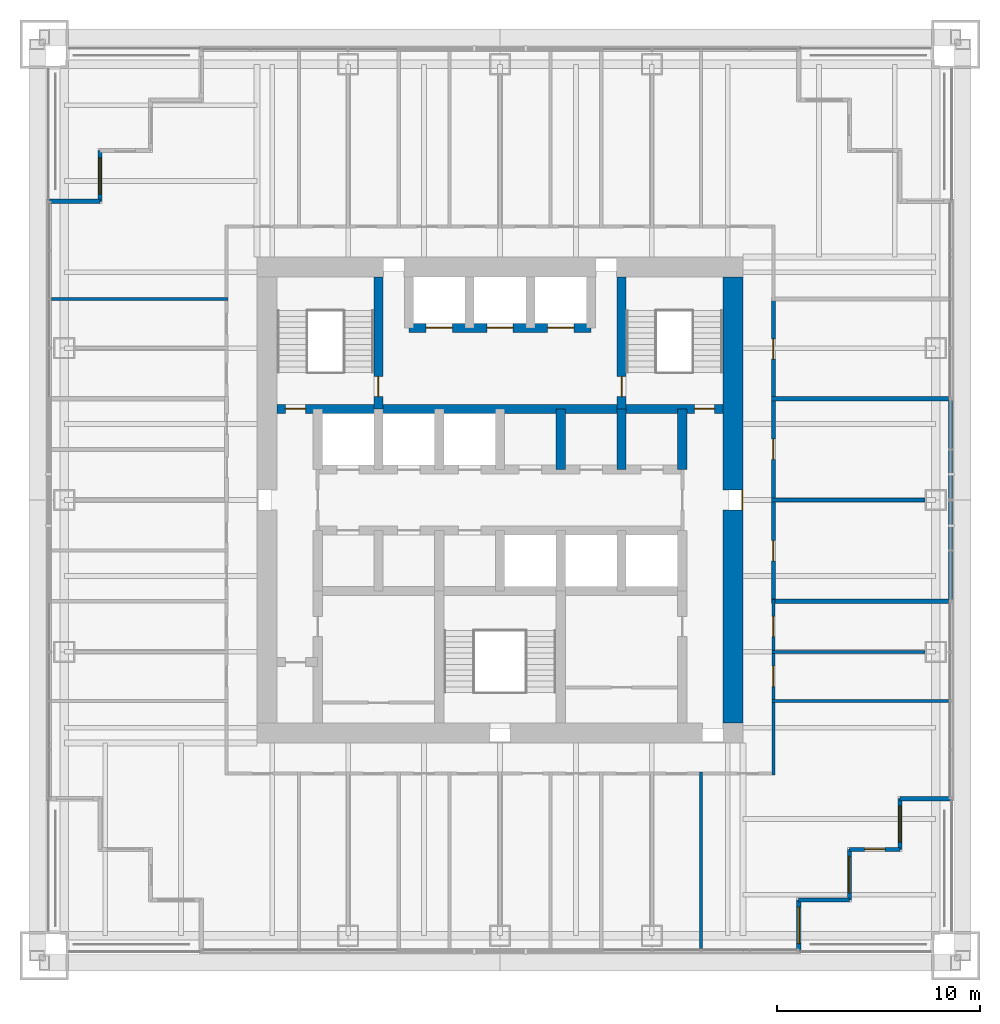
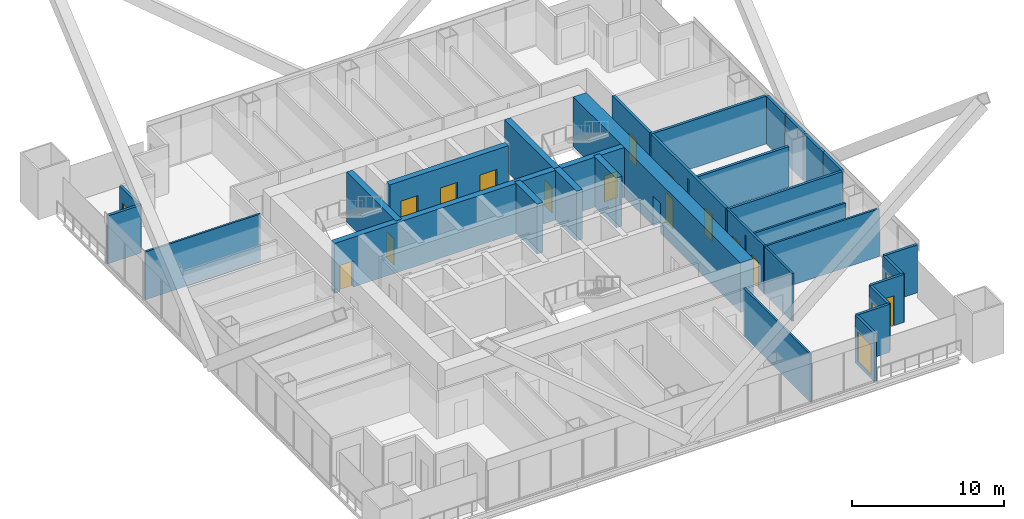
# One storey, part 13 of 17: 29 walls, 14 doors, 4 windows, 18 openings.
"""IFC4 building model written with IfcOpenShell, lengths in metres."""

from ifc_helpers import new_model, si_unit, direction, frame, frame_2d, origin, place, context, subcontext, project, spatial, rectangle, extrude, material, layer, layer_set, type_object, element, fill, save


model = new_model("IFC4")

# Units and contexts
model_context = context("Model", 3, precision=1e-05, world=origin(), true_north=direction((0.0, 1.0)))
body_context = subcontext(model_context, "Body", "Model", "MODEL_VIEW")
ifc_project = project(units=[si_unit("LENGTHUNIT", "METRE"), si_unit("AREAUNIT", "SQUARE_METRE"), si_unit("VOLUMEUNIT", "CUBIC_METRE"), si_unit("PLANEANGLEUNIT", "RADIAN"), si_unit("MASSUNIT", "GRAM", prefix="KILO")], contexts=[model_context])

# Site, building, storey
site_placement = place(None, origin())
site = spatial("IfcSite", under=ifc_project, at=site_placement, CompositionType="ELEMENT")
building_placement = place(site_placement, origin())
building = spatial("IfcBuilding", under=site, at=building_placement, Name="Tarangal Relay Tower", CompositionType="ELEMENT")
storey_placement = place(building_placement, frame((0.0, 0.0, 233.89990234375)))
storey = spatial("IfcBuildingStorey", under=building, at=storey_placement, Name="L50", CompositionType="ELEMENT", Elevation=233.89990234375)

# Walls
ifc_material_1 = material(Name="Two layers gypsum board each side on twin steel studs, mineral wool", Category="steel")
ifc_layer_1 = layer(ifc_material_1, 0.199951171875)
ifc_layer_set_1 = layer_set([ifc_layer_1], Name="Acoustic partition 200")
wall_type_1 = type_object("IfcWallType", Name="Acoustic partition 200", PredefinedType="PARTITIONING", material=ifc_layer_set_1)
wall_1_placement = place(storey_placement, frame((13.39990234375, -5.0, 0.0), z_axis=(0.0, 0.0, 1.0), x_axis=(1.0, 0.0, 0.0)))
element("IfcWall", 1, at=wall_1_placement, inside=storey, type_object=wall_type_1, Name="Partition PT2 L50", PredefinedType="PARTITIONING", context=body_context, shape_type="SweptSolid", body=[
    extrude(rectangle(XDim=8.75, YDim=0.199951171875, at=frame_2d((4.375, 0.0))), origin(), (0.0, 0.0, 1.0), 3.85009765625),
])
wall_2_placement = place(storey_placement, frame((13.39990234375, 0.0, 0.0), z_axis=(0.0, 0.0, 1.0), x_axis=(1.0, 0.0, 0.0)))
element("IfcWall", 2, at=wall_2_placement, inside=storey, type_object=wall_type_1, Name="Partition PT2 L50", PredefinedType="PARTITIONING", context=body_context, shape_type="SweptSolid", body=[
    extrude(rectangle(XDim=7.590087890625, YDim=0.199951171875, at=frame_2d((3.794921875, 0.0))), origin(), (0.0, 0.0, 1.0), 3.238037109375),
])
wall_3_placement = place(storey_placement, frame((13.39990234375, 5.0, 0.0), z_axis=(0.0, 0.0, 1.0), x_axis=(1.0, 0.0, 0.0)))
element("IfcWall", 3, at=wall_3_placement, inside=storey, type_object=wall_type_1, Name="Partition PT2 L50", PredefinedType="PARTITIONING", context=body_context, shape_type="SweptSolid", body=[
    extrude(rectangle(XDim=8.75, YDim=0.199951171875, at=frame_2d((4.375, 0.0))), origin(), (0.0, 0.0, 1.0), 3.85009765625),
])

# Wall, openings, doors
wall_4_placement = place(storey_placement, frame((13.5, -5.10009765625, 0.0), z_axis=(0.0, 0.0, 1.0), x_axis=(0.0, 1.0, 0.0)))
wall_4 = element("IfcWall", 4, at=wall_4_placement, inside=storey, type_object=wall_type_1, Name="Partition PT2 L50", PredefinedType="PARTITIONING", context=body_context, shape_type="SweptSolid", body=[
    extrude(rectangle(XDim=15.1171875, YDim=0.199951171875, at=frame_2d((7.55859375, 0.0))), origin(), (0.0, 0.0, 1.0), 3.85009765625),
])
opening_1_placement = place(wall_4_placement, frame((12.05859375, 0.0, 0.0)))
opening_1 = element("IfcOpeningElement", 5, at=opening_1_placement, cuts=wall_4, Name="Opening D2", PredefinedType="OPENING", context=body_context, shape_type="SweptSolid", body=[
    extrude(rectangle(XDim=1.0, YDim=2.10009765625, at=frame_2d((0.5, 1.050048828125))), frame((0.0, 0.10986328125, 0.0), z_axis=(0.0, -1.0, 0.0), x_axis=(1.0, 0.0, 0.0)), (0.0, 0.0, 1.0), 0.219970703125),
])
opening_2_placement = place(wall_4_placement, frame((7.10009765625, 0.0, 0.0)))
opening_2 = element("IfcOpeningElement", 6, at=opening_2_placement, cuts=wall_4, Name="Opening D2", PredefinedType="OPENING", context=body_context, shape_type="SweptSolid", body=[
    extrude(rectangle(XDim=1.0, YDim=2.10009765625, at=frame_2d((0.5, 1.050048828125))), frame((0.0, 0.10986328125, 0.0), z_axis=(0.0, -1.0, 0.0), x_axis=(1.0, 0.0, 0.0)), (0.0, 0.0, 1.0), 0.219970703125),
])
opening_3_placement = place(wall_4_placement, frame((2.10009765625, 0.0, 0.0)))
opening_3 = element("IfcOpeningElement", 7, at=opening_3_placement, cuts=wall_4, Name="Opening D2", PredefinedType="OPENING", context=body_context, shape_type="SweptSolid", body=[
    extrude(rectangle(XDim=1.0, YDim=2.10009765625, at=frame_2d((0.5, 1.050048828125))), frame((0.0, 0.10986328125, 0.0), z_axis=(0.0, -1.0, 0.0), x_axis=(1.0, 0.0, 0.0)), (0.0, 0.0, 1.0), 0.219970703125),
])
ifc_material_2 = material(Name="Hardwood door", Category="wood")
door_type_1 = type_object("IfcDoorType", Name="Door 1000 x 2100", OperationType="SINGLE_SWING_LEFT", PredefinedType="DOOR", material=ifc_material_2)
door_1_placement = place(opening_1_placement, origin())
door_1 = element("IfcDoor", 8, at=door_1_placement, inside=storey, type_object=door_type_1, Name="Door D2 to meeting room L50-10", OperationType="SINGLE_SWING_LEFT", OverallHeight=2.10009765625, OverallWidth=1.0, PredefinedType="DOOR", context=body_context, shape_type="SweptSolid", body=[
    extrude(rectangle(XDim=1.0, YDim=2.10009765625, at=frame_2d((0.5, 1.050048828125))), frame((0.0, 0.02490234375, 0.0), z_axis=(0.0, -1.0, 0.0), x_axis=(1.0, 0.0, 0.0)), (0.0, 0.0, 1.0), 0.050048828125),
])
fill(opening_1, door_1)
door_2_placement = place(opening_2_placement, origin())
door_2 = element("IfcDoor", 9, at=door_2_placement, inside=storey, type_object=door_type_1, Name="Door D2 to boardroom L50-11", OperationType="SINGLE_SWING_LEFT", OverallHeight=2.10009765625, OverallWidth=1.0, PredefinedType="DOOR", context=body_context, shape_type="SweptSolid", body=[
    extrude(rectangle(XDim=1.0, YDim=2.10009765625, at=frame_2d((0.5, 1.050048828125))), frame((0.0, 0.02490234375, 0.0), z_axis=(0.0, -1.0, 0.0), x_axis=(1.0, 0.0, 0.0)), (0.0, 0.0, 1.0), 0.050048828125),
])
fill(opening_2, door_2)
door_3_placement = place(opening_3_placement, origin())
door_3 = element("IfcDoor", 10, at=door_3_placement, inside=storey, type_object=door_type_1, Name="Door D2 to meeting room L50-12", OperationType="SINGLE_SWING_LEFT", OverallHeight=2.10009765625, OverallWidth=1.0, PredefinedType="DOOR", context=body_context, shape_type="SweptSolid", body=[
    extrude(rectangle(XDim=1.0, YDim=2.10009765625, at=frame_2d((0.5, 1.050048828125))), frame((0.0, 0.02490234375, 0.0), z_axis=(0.0, -1.0, 0.0), x_axis=(1.0, 0.0, 0.0)), (0.0, 0.0, 1.0), 0.050048828125),
])
fill(opening_3, door_3)

ifc_material_3 = material(Name="Concrete fc' 60 MPa", Category="concrete")
ifc_layer_2 = layer(ifc_material_3, 0.449951171875)
ifc_layer_set_2 = layer_set([ifc_layer_2], Name="Core inner wall 450")
wall_type_2 = type_object("IfcWallType", Name="Core inner wall 450", PredefinedType="SHEAR", material=ifc_layer_set_2)
wall_5_placement = place(storey_placement, frame((-11.0, 4.5, 0.0), z_axis=(0.0, 0.0, 1.0), x_axis=(1.0, 0.0, 0.0)))
wall_5 = element("IfcWall", 11, at=wall_5_placement, inside=storey, type_object=wall_type_2, Name="Core wall Y45 L50", PredefinedType="SHEAR", context=body_context, shape_type="SweptSolid", body=[
    extrude(rectangle(XDim=22.0, YDim=0.449951171875, at=frame_2d((11.0, 0.0))), origin(), (0.0, 0.0, 1.0), 4.0),
])
opening_4_placement = place(wall_5_placement, frame((0.39990234375, 0.0, 0.0)))
opening_4 = element("IfcOpeningElement", 12, at=opening_4_placement, cuts=wall_5, Name="Opening FD1", PredefinedType="OPENING", context=body_context, shape_type="SweptSolid", body=[
    extrude(rectangle(XDim=1.0, YDim=2.10009765625, at=frame_2d((0.5, 1.050048828125))), frame((0.0, 0.23486328125, 0.0), z_axis=(0.0, -1.0, 0.0), x_axis=(1.0, 0.0, 0.0)), (0.0, 0.0, 1.0), 0.469970703125),
])
opening_5_placement = place(wall_5_placement, frame((20.60009765625, 0.0, 0.0)))
opening_5 = element("IfcOpeningElement", 13, at=opening_5_placement, cuts=wall_5, Name="Opening FD1", PredefinedType="OPENING", context=body_context, shape_type="SweptSolid", body=[
    extrude(rectangle(XDim=1.0, YDim=2.10009765625, at=frame_2d((0.5, 1.050048828125))), frame((0.0, 0.23486328125, 0.0), z_axis=(0.0, -1.0, 0.0), x_axis=(1.0, 0.0, 0.0)), (0.0, 0.0, 1.0), 0.469970703125),
])
ifc_material_4 = material(Name="Steel door with hardwood frame", Category="steel")
door_type_2 = type_object("IfcDoorType", Name="Fire door 1000 x 2100", OperationType="SINGLE_SWING_LEFT", PredefinedType="DOOR", material=ifc_material_4)
door_4_placement = place(opening_4_placement, origin())
door_4 = element("IfcDoor", 14, at=door_4_placement, inside=storey, type_object=door_type_2, Name="Stair ST-A door from corridor L50", OperationType="SINGLE_SWING_LEFT", OverallHeight=2.10009765625, OverallWidth=1.0, PredefinedType="DOOR", context=body_context, shape_type="SweptSolid", body=[
    extrude(rectangle(XDim=1.0, YDim=2.10009765625, at=frame_2d((0.5, 1.050048828125))), frame((0.0, 0.02490234375, 0.0), z_axis=(0.0, -1.0, 0.0), x_axis=(1.0, 0.0, 0.0)), (0.0, 0.0, 1.0), 0.050048828125),
])
fill(opening_4, door_4)
door_5_placement = place(opening_5_placement, origin())
door_5 = element("IfcDoor", 15, at=door_5_placement, inside=storey, type_object=door_type_2, Name="Stair ST-B door from corridor L50", OperationType="SINGLE_SWING_LEFT", OverallHeight=2.10009765625, OverallWidth=1.0, PredefinedType="DOOR", context=body_context, shape_type="SweptSolid", body=[
    extrude(rectangle(XDim=1.0, YDim=2.10009765625, at=frame_2d((0.5, 1.050048828125))), frame((0.0, 0.02490234375, 0.0), z_axis=(0.0, -1.0, 0.0), x_axis=(1.0, 0.0, 0.0)), (0.0, 0.0, 1.0), 0.050048828125),
])
fill(opening_5, door_5)

wall_6_placement = place(storey_placement, frame((-4.5, 8.5, 0.0), z_axis=(0.0, 0.0, 1.0), x_axis=(1.0, 0.0, 0.0)))
wall_6 = element("IfcWall", 16, at=wall_6_placement, inside=storey, type_object=wall_type_2, Name="Core wall Y85 L50", PredefinedType="SHEAR", context=body_context, shape_type="SweptSolid", body=[
    extrude(rectangle(XDim=9.0, YDim=0.449951171875, at=frame_2d((4.5, 0.0))), origin(), (0.0, 0.0, 1.0), 4.0),
])
opening_6_placement = place(wall_6_placement, frame((0.85009765625, 0.0, 0.0)))
opening_6 = element("IfcOpeningElement", 17, at=opening_6_placement, cuts=wall_6, Name="Opening LD2", PredefinedType="OPENING", context=body_context, shape_type="SweptSolid", body=[
    extrude(rectangle(XDim=1.300048828125, YDim=2.39990234375, at=frame_2d((0.64990234375, 1.199951171875))), frame((0.0, 0.23486328125, 0.0), z_axis=(0.0, -1.0, 0.0), x_axis=(1.0, 0.0, 0.0)), (0.0, 0.0, 1.0), 0.469970703125),
])
opening_7_placement = place(wall_6_placement, frame((6.85009765625, 0.0, 0.0)))
opening_7 = element("IfcOpeningElement", 18, at=opening_7_placement, cuts=wall_6, Name="Opening LD2", PredefinedType="OPENING", context=body_context, shape_type="SweptSolid", body=[
    extrude(rectangle(XDim=1.300048828125, YDim=2.39990234375, at=frame_2d((0.64990234375, 1.199951171875))), frame((0.0, 0.23486328125, 0.0), z_axis=(0.0, -1.0, 0.0), x_axis=(1.0, 0.0, 0.0)), (0.0, 0.0, 1.0), 0.469970703125),
])
opening_8_placement = place(wall_6_placement, frame((3.85009765625, 0.0, 0.0)))
opening_8 = element("IfcOpeningElement", 19, at=opening_8_placement, cuts=wall_6, Name="Opening LD2", PredefinedType="OPENING", context=body_context, shape_type="SweptSolid", body=[
    extrude(rectangle(XDim=1.300048828125, YDim=2.39990234375, at=frame_2d((0.64990234375, 1.199951171875))), frame((0.0, 0.23486328125, 0.0), z_axis=(0.0, -1.0, 0.0), x_axis=(1.0, 0.0, 0.0)), (0.0, 0.0, 1.0), 0.469970703125),
])
door_type_3 = type_object("IfcDoorType", Name="Lift landing door 1300 x 2400", OperationType="SLIDING_TO_LEFT", PredefinedType="DOOR", material=ifc_material_4)
door_6_placement = place(opening_6_placement, origin())
door_6 = element("IfcDoor", 20, at=door_6_placement, inside=storey, type_object=door_type_3, Name="Lift FF1 landing door L50", OperationType="SLIDING_TO_LEFT", OverallHeight=2.39990234375, OverallWidth=1.300048828125, PredefinedType="DOOR", context=body_context, shape_type="SweptSolid", body=[
    extrude(rectangle(XDim=1.300048828125, YDim=2.39990234375, at=frame_2d((0.64990234375, 1.199951171875))), frame((0.0, 0.02490234375, 0.0), z_axis=(0.0, -1.0, 0.0), x_axis=(1.0, 0.0, 0.0)), (0.0, 0.0, 1.0), 0.050048828125),
])
fill(opening_6, door_6)
door_7_placement = place(opening_7_placement, origin())
door_7 = element("IfcDoor", 21, at=door_7_placement, inside=storey, type_object=door_type_3, Name="Lift FF2 landing door L50", OperationType="SLIDING_TO_LEFT", OverallHeight=2.39990234375, OverallWidth=1.300048828125, PredefinedType="DOOR", context=body_context, shape_type="SweptSolid", body=[
    extrude(rectangle(XDim=1.300048828125, YDim=2.39990234375, at=frame_2d((0.64990234375, 1.199951171875))), frame((0.0, 0.02490234375, 0.0), z_axis=(0.0, -1.0, 0.0), x_axis=(1.0, 0.0, 0.0)), (0.0, 0.0, 1.0), 0.050048828125),
])
fill(opening_7, door_7)
door_8_placement = place(opening_8_placement, origin())
door_8 = element("IfcDoor", 22, at=door_8_placement, inside=storey, type_object=door_type_3, Name="Lift SV1 landing door L50", OperationType="SLIDING_TO_LEFT", OverallHeight=2.39990234375, OverallWidth=1.300048828125, PredefinedType="DOOR", context=body_context, shape_type="SweptSolid", body=[
    extrude(rectangle(XDim=1.300048828125, YDim=2.39990234375, at=frame_2d((0.64990234375, 1.199951171875))), frame((0.0, 0.02490234375, 0.0), z_axis=(0.0, -1.0, 0.0), x_axis=(1.0, 0.0, 0.0)), (0.0, 0.0, 1.0), 0.050048828125),
])
fill(opening_8, door_8)

# Walls
for number, where, z_axis, x_axis, name in (
    (23, (9.0, 1.5, 0.0), (0.0, 0.0, 1.0), (0.0, 1.0, 0.0), "Core wall X9N L50"),
    (24, (3.0, 1.5, 0.0), (0.0, 0.0, 1.0), (0.0, 1.0, 0.0), "Core wall X3N L50"),
    (25, (6.0, 1.5, 0.0), (0.0, 0.0, 1.0), (0.0, 1.0, 0.0), "Core wall X6N L50"),
):
    element("IfcWall", number, at=place(storey_placement, frame(where, z_axis=z_axis, x_axis=x_axis)), inside=storey, type_object=wall_type_2, Name=name, PredefinedType="SHEAR", context=body_context, shape_type="SweptSolid", body=[
        extrude(rectangle(XDim=3.0, YDim=0.449951171875, at=frame_2d((1.5, 0.0))), origin(), (0.0, 0.0, 1.0), 4.0),
    ])

# Wall, opening, door
wall_7_placement = place(storey_placement, frame((-6.0, 4.5, 0.0), z_axis=(0.0, 0.0, 1.0), x_axis=(0.0, 1.0, 0.0)))
wall_7 = element("IfcWall", 26, at=wall_7_placement, inside=storey, type_object=wall_type_2, Name="Core wall XM6 L50", PredefinedType="SHEAR", context=body_context, shape_type="SweptSolid", body=[
    extrude(rectangle(XDim=6.5, YDim=0.449951171875, at=frame_2d((3.25, 0.0))), origin(), (0.0, 0.0, 1.0), 4.0),
])
opening_9_placement = place(wall_7_placement, frame((0.60009765625, 0.0, 0.0)))
opening_9 = element("IfcOpeningElement", 27, at=opening_9_placement, cuts=wall_7, Name="Opening FD1", PredefinedType="OPENING", context=body_context, shape_type="SweptSolid", body=[
    extrude(rectangle(XDim=1.0, YDim=2.10009765625, at=frame_2d((0.5, 1.050048828125))), frame((0.0, 0.23486328125, 0.0), z_axis=(0.0, -1.0, 0.0), x_axis=(1.0, 0.0, 0.0)), (0.0, 0.0, 1.0), 0.469970703125),
])
door_9_placement = place(opening_9_placement, origin())
door_9 = element("IfcDoor", 28, at=door_9_placement, inside=storey, type_object=door_type_2, Name="Stair ST-A door from fire-fighting lobby L50", OperationType="SINGLE_SWING_LEFT", OverallHeight=2.10009765625, OverallWidth=1.0, PredefinedType="DOOR", context=body_context, shape_type="SweptSolid", body=[
    extrude(rectangle(XDim=1.0, YDim=2.10009765625, at=frame_2d((0.5, 1.050048828125))), frame((0.0, 0.02490234375, 0.0), z_axis=(0.0, -1.0, 0.0), x_axis=(1.0, 0.0, 0.0)), (0.0, 0.0, 1.0), 0.050048828125),
])
fill(opening_9, door_9)

wall_8_placement = place(storey_placement, frame((6.0, 4.5, 0.0), z_axis=(0.0, 0.0, 1.0), x_axis=(0.0, 1.0, 0.0)))
wall_8 = element("IfcWall", 29, at=wall_8_placement, inside=storey, type_object=wall_type_2, Name="Core wall X6 L50", PredefinedType="SHEAR", context=body_context, shape_type="SweptSolid", body=[
    extrude(rectangle(XDim=6.5, YDim=0.449951171875, at=frame_2d((3.25, 0.0))), origin(), (0.0, 0.0, 1.0), 4.0),
])
opening_10_placement = place(wall_8_placement, frame((0.60009765625, 0.0, 0.0)))
opening_10 = element("IfcOpeningElement", 30, at=opening_10_placement, cuts=wall_8, Name="Opening FD1", PredefinedType="OPENING", context=body_context, shape_type="SweptSolid", body=[
    extrude(rectangle(XDim=1.0, YDim=2.10009765625, at=frame_2d((0.5, 1.050048828125))), frame((0.0, 0.23486328125, 0.0), z_axis=(0.0, -1.0, 0.0), x_axis=(1.0, 0.0, 0.0)), (0.0, 0.0, 1.0), 0.469970703125),
])
door_10_placement = place(opening_10_placement, origin())
door_10 = element("IfcDoor", 31, at=door_10_placement, inside=storey, type_object=door_type_2, Name="Stair ST-B door from fire-fighting lobby L50", OperationType="SINGLE_SWING_LEFT", OverallHeight=2.10009765625, OverallWidth=1.0, PredefinedType="DOOR", context=body_context, shape_type="SweptSolid", body=[
    extrude(rectangle(XDim=1.0, YDim=2.10009765625, at=frame_2d((0.5, 1.050048828125))), frame((0.0, 0.02490234375, 0.0), z_axis=(0.0, -1.0, 0.0), x_axis=(1.0, 0.0, 0.0)), (0.0, 0.0, 1.0), 0.050048828125),
])
fill(opening_10, door_10)

ifc_layer_3 = layer(ifc_material_3, 1.0)
ifc_layer_set_3 = layer_set([ifc_layer_3], Name="Core wall 1000")
wall_type_3 = type_object("IfcWallType", Name="Core wall 1000", PredefinedType="SHEAR", material=ifc_layer_set_3)
wall_9_placement = place(storey_placement, frame((11.5, 11.0, 0.0), z_axis=(0.0, 0.0, 1.0), x_axis=(0.0, -1.0, 0.0)))
wall_9 = element("IfcWall", 32, at=wall_9_placement, inside=storey, type_object=wall_type_3, Name="Core wall E L50", PredefinedType="SHEAR", context=body_context, shape_type="SweptSolid", body=[
    extrude(rectangle(XDim=22.0, YDim=1.0, at=frame_2d((11.0, 0.0))), origin(), (0.0, 0.0, 1.0), 4.0),
])
opening_11_placement = place(wall_9_placement, frame((10.5, 0.0, 0.0)))
opening_11 = element("IfcOpeningElement", 33, at=opening_11_placement, cuts=wall_9, Name="Opening FD3", PredefinedType="OPENING", context=body_context, shape_type="SweptSolid", body=[
    extrude(rectangle(XDim=1.0, YDim=2.39990234375, at=frame_2d((0.5, 1.199951171875))), frame((0.0, 0.510009765625, 0.0), z_axis=(0.0, -1.0, 0.0), x_axis=(1.0, 0.0, 0.0)), (0.0, 0.0, 1.0), 1.02001953125),
])
door_type_4 = type_object("IfcDoorType", Name="Fire door 1000 x 2400 core entry", OperationType="SINGLE_SWING_RIGHT", PredefinedType="DOOR", material=ifc_material_4)
door_11_placement = place(opening_11_placement, origin())
door_11 = element("IfcDoor", 34, at=door_11_placement, inside=storey, type_object=door_type_4, Name="Core entry door east L50", OperationType="SINGLE_SWING_RIGHT", OverallHeight=2.39990234375, OverallWidth=1.0, PredefinedType="DOOR", context=body_context, shape_type="SweptSolid", body=[
    extrude(rectangle(XDim=1.0, YDim=2.39990234375, at=frame_2d((0.5, 1.199951171875))), frame((0.0, 0.48486328125, 0.0), z_axis=(0.0, -1.0, 0.0), x_axis=(1.0, 0.0, 0.0)), (0.0, 0.0, 1.0), 0.050048828125),
])
fill(opening_11, door_11)

# Wall
ifc_material_5 = material(Name="Black metal clad insulated wall", Category="steel")
ifc_layer_4 = layer(ifc_material_5, 0.199951171875)
ifc_layer_set_4 = layer_set([ifc_layer_4], Name="Corner wall metal clad 200")
wall_type_4 = type_object("IfcWallType", Name="Corner wall metal clad 200", PredefinedType="SOLIDWALL", material=ifc_layer_set_4)
wall_10_placement = place(storey_placement, frame((22.25, -14.75, 0.0), z_axis=(0.0, 0.0, 1.0), x_axis=(-1.0, 0.0, 0.0)))
element("IfcWall", 35, at=wall_10_placement, inside=storey, type_object=wall_type_4, Name="Facade wall E facade L50", PredefinedType="SOLIDWALL", context=body_context, shape_type="SweptSolid", body=[
    extrude(rectangle(XDim=2.5, YDim=0.199951171875, at=frame_2d((1.25, 0.0))), origin(), (0.0, 0.0, 1.0), 3.85009765625),
])

# Wall, opening, window
wall_11_placement = place(storey_placement, frame((19.75, -14.75, 0.0), z_axis=(0.0, 0.0, 1.0), x_axis=(0.0, -1.0, 0.0)))
wall_11 = element("IfcWall", 36, at=wall_11_placement, inside=storey, type_object=wall_type_4, Name="Facade wall E facade L50", PredefinedType="SOLIDWALL", context=body_context, shape_type="SweptSolid", body=[
    extrude(rectangle(XDim=2.5, YDim=0.199951171875, at=frame_2d((1.25, 0.0))), origin(), (0.0, 0.0, 1.0), 3.85009765625),
])
opening_12_placement = place(wall_11_placement, frame((0.35009765625, 0.0, 0.300048828125)))
opening_12 = element("IfcOpeningElement", 37, at=opening_12_placement, cuts=wall_11, Name="Opening WN2", PredefinedType="OPENING", context=body_context, shape_type="SweptSolid", body=[
    extrude(rectangle(XDim=1.800048828125, YDim=2.39990234375, at=frame_2d((0.89990234375, 1.199951171875))), frame((0.0, 0.10986328125, 0.0), z_axis=(0.0, -1.0, 0.0), x_axis=(1.0, 0.0, 0.0)), (0.0, 0.0, 1.0), 0.219970703125),
])
ifc_material_6 = material(Name="Dark tinted double glazing in black aluminium frame", Category="aluminium")
window_type = type_object("IfcWindowType", Name="Corner window 1800 x 2400", PartitioningType="SINGLE_PANEL", PredefinedType="WINDOW", material=ifc_material_6)
window_1_placement = place(opening_12_placement, origin())
window_1 = element("IfcWindow", 38, at=window_1_placement, inside=storey, type_object=window_type, Name="Corner window WN2 E facade L50", OverallHeight=2.39990234375, OverallWidth=1.800048828125, PartitioningType="SINGLE_PANEL", PredefinedType="WINDOW", context=body_context, shape_type="SweptSolid", body=[
    extrude(rectangle(XDim=1.800048828125, YDim=2.39990234375, at=frame_2d((0.89990234375, 1.199951171875))), frame((0.0, 0.030029296875, 0.0), z_axis=(0.0, -1.0, 0.0), x_axis=(1.0, 0.0, 0.0)), (0.0, 0.0, 1.0), 0.06005859375),
])
fill(opening_12, window_1)

# Wall, opening, door
wall_12_placement = place(storey_placement, frame((19.75, -17.25, 0.0), z_axis=(0.0, 0.0, 1.0), x_axis=(-1.0, 0.0, 0.0)))
wall_12 = element("IfcWall", 39, at=wall_12_placement, inside=storey, type_object=wall_type_4, Name="Facade wall E facade L50", PredefinedType="SOLIDWALL", context=body_context, shape_type="SweptSolid", body=[
    extrude(rectangle(XDim=2.5, YDim=0.199951171875, at=frame_2d((1.25, 0.0))), origin(), (0.0, 0.0, 1.0), 3.85009765625),
])
opening_13_placement = place(wall_12_placement, frame((0.75, 0.0, 0.0)))
opening_13 = element("IfcOpeningElement", 40, at=opening_13_placement, cuts=wall_12, Name="Opening TD1", PredefinedType="OPENING", context=body_context, shape_type="SweptSolid", body=[
    extrude(rectangle(XDim=1.0, YDim=2.39990234375, at=frame_2d((0.5, 1.199951171875))), frame((0.0, 0.10986328125, 0.0), z_axis=(0.0, -1.0, 0.0), x_axis=(1.0, 0.0, 0.0)), (0.0, 0.0, 1.0), 0.219970703125),
])
ifc_material_7 = material(Name="Aluminium glazed door", Category="aluminium")
door_type_5 = type_object("IfcDoorType", Name="Terrace door 1000 x 2400", OperationType="SINGLE_SWING_RIGHT", PredefinedType="DOOR", material=ifc_material_7)
door_12_placement = place(opening_13_placement, origin())
door_12 = element("IfcDoor", 41, at=door_12_placement, inside=storey, type_object=door_type_5, Name="Terrace door TD1 SE L50", OperationType="SINGLE_SWING_RIGHT", OverallHeight=2.39990234375, OverallWidth=1.0, PredefinedType="DOOR", context=body_context, shape_type="SweptSolid", body=[
    extrude(rectangle(XDim=1.0, YDim=2.39990234375, at=frame_2d((0.5, 1.199951171875))), frame((0.0, 0.02490234375, 0.0), z_axis=(0.0, -1.0, 0.0), x_axis=(1.0, 0.0, 0.0)), (0.0, 0.0, 1.0), 0.050048828125),
])
fill(opening_13, door_12)

# Wall, opening, window
wall_13_placement = place(storey_placement, frame((17.25, -17.25, 0.0), z_axis=(0.0, 0.0, 1.0), x_axis=(0.0, -1.0, 0.0)))
wall_13 = element("IfcWall", 42, at=wall_13_placement, inside=storey, type_object=wall_type_4, Name="Facade wall E facade L50", PredefinedType="SOLIDWALL", context=body_context, shape_type="SweptSolid", body=[
    extrude(rectangle(XDim=2.5, YDim=0.199951171875, at=frame_2d((1.25, 0.0))), origin(), (0.0, 0.0, 1.0), 3.85009765625),
])
opening_14_placement = place(wall_13_placement, frame((0.35009765625, 0.0, 0.300048828125)))
opening_14 = element("IfcOpeningElement", 43, at=opening_14_placement, cuts=wall_13, Name="Opening WN2", PredefinedType="OPENING", context=body_context, shape_type="SweptSolid", body=[
    extrude(rectangle(XDim=1.800048828125, YDim=2.39990234375, at=frame_2d((0.89990234375, 1.199951171875))), frame((0.0, 0.10986328125, 0.0), z_axis=(0.0, -1.0, 0.0), x_axis=(1.0, 0.0, 0.0)), (0.0, 0.0, 1.0), 0.219970703125),
])
window_2_placement = place(opening_14_placement, origin())
window_2 = element("IfcWindow", 44, at=window_2_placement, inside=storey, type_object=window_type, Name="Corner window WN2 E facade L50", OverallHeight=2.39990234375, OverallWidth=1.800048828125, PartitioningType="SINGLE_PANEL", PredefinedType="WINDOW", context=body_context, shape_type="SweptSolid", body=[
    extrude(rectangle(XDim=1.800048828125, YDim=2.39990234375, at=frame_2d((0.89990234375, 1.199951171875))), frame((0.0, 0.030029296875, 0.0), z_axis=(0.0, -1.0, 0.0), x_axis=(1.0, 0.0, 0.0)), (0.0, 0.0, 1.0), 0.06005859375),
])
fill(opening_14, window_2)

# Wall
wall_14_placement = place(storey_placement, frame((17.25, -19.75, 0.0), z_axis=(0.0, 0.0, 1.0), x_axis=(-1.0, 0.0, 0.0)))
element("IfcWall", 45, at=wall_14_placement, inside=storey, type_object=wall_type_4, Name="Facade wall E facade L50", PredefinedType="SOLIDWALL", context=body_context, shape_type="SweptSolid", body=[
    extrude(rectangle(XDim=2.5, YDim=0.199951171875, at=frame_2d((1.25, 0.0))), origin(), (0.0, 0.0, 1.0), 3.85009765625),
])

# Wall, opening, window
wall_15_placement = place(storey_placement, frame((14.75, -19.75, 0.0), z_axis=(0.0, 0.0, 1.0), x_axis=(0.0, -1.0, 0.0)))
wall_15 = element("IfcWall", 46, at=wall_15_placement, inside=storey, type_object=wall_type_4, Name="Facade wall E facade L50", PredefinedType="SOLIDWALL", context=body_context, shape_type="SweptSolid", body=[
    extrude(rectangle(XDim=2.5, YDim=0.199951171875, at=frame_2d((1.25, 0.0))), origin(), (0.0, 0.0, 1.0), 3.85009765625),
])
opening_15_placement = place(wall_15_placement, frame((0.35009765625, 0.0, 0.300048828125)))
opening_15 = element("IfcOpeningElement", 47, at=opening_15_placement, cuts=wall_15, Name="Opening WN2", PredefinedType="OPENING", context=body_context, shape_type="SweptSolid", body=[
    extrude(rectangle(XDim=1.800048828125, YDim=2.39990234375, at=frame_2d((0.89990234375, 1.199951171875))), frame((0.0, 0.10986328125, 0.0), z_axis=(0.0, -1.0, 0.0), x_axis=(1.0, 0.0, 0.0)), (0.0, 0.0, 1.0), 0.219970703125),
])
window_3_placement = place(opening_15_placement, origin())
window_3 = element("IfcWindow", 48, at=window_3_placement, inside=storey, type_object=window_type, Name="Corner window WN2 E facade L50", OverallHeight=2.39990234375, OverallWidth=1.800048828125, PartitioningType="SINGLE_PANEL", PredefinedType="WINDOW", context=body_context, shape_type="SweptSolid", body=[
    extrude(rectangle(XDim=1.800048828125, YDim=2.39990234375, at=frame_2d((0.89990234375, 1.199951171875))), frame((0.0, 0.030029296875, 0.0), z_axis=(0.0, -1.0, 0.0), x_axis=(1.0, 0.0, 0.0)), (0.0, 0.0, 1.0), 0.06005859375),
])
fill(opening_15, window_3)

# Wall
wall_16_placement = place(storey_placement, frame((-22.25, 14.75, 0.0), z_axis=(0.0, 0.0, 1.0), x_axis=(1.0, 0.0, 0.0)))
element("IfcWall", 49, at=wall_16_placement, inside=storey, type_object=wall_type_4, Name="Facade wall W facade L50", PredefinedType="SOLIDWALL", context=body_context, shape_type="SweptSolid", body=[
    extrude(rectangle(XDim=2.5, YDim=0.199951171875, at=frame_2d((1.25, 0.0))), origin(), (0.0, 0.0, 1.0), 3.85009765625),
])

# Wall, opening, window
wall_17_placement = place(storey_placement, frame((-19.75, 14.75, 0.0), z_axis=(0.0, 0.0, 1.0), x_axis=(0.0, 1.0, 0.0)))
wall_17 = element("IfcWall", 50, at=wall_17_placement, inside=storey, type_object=wall_type_4, Name="Facade wall W facade L50", PredefinedType="SOLIDWALL", context=body_context, shape_type="SweptSolid", body=[
    extrude(rectangle(XDim=2.5, YDim=0.199951171875, at=frame_2d((1.25, 0.0))), origin(), (0.0, 0.0, 1.0), 3.85009765625),
])
opening_16_placement = place(wall_17_placement, frame((0.35009765625, 0.0, 0.300048828125)))
opening_16 = element("IfcOpeningElement", 51, at=opening_16_placement, cuts=wall_17, Name="Opening WN2", PredefinedType="OPENING", context=body_context, shape_type="SweptSolid", body=[
    extrude(rectangle(XDim=1.800048828125, YDim=2.39990234375, at=frame_2d((0.89990234375, 1.199951171875))), frame((0.0, 0.10986328125, 0.0), z_axis=(0.0, -1.0, 0.0), x_axis=(1.0, 0.0, 0.0)), (0.0, 0.0, 1.0), 0.219970703125),
])
window_4_placement = place(opening_16_placement, origin())
window_4 = element("IfcWindow", 52, at=window_4_placement, inside=storey, type_object=window_type, Name="Corner window WN2 W facade L50", OverallHeight=2.39990234375, OverallWidth=1.800048828125, PartitioningType="SINGLE_PANEL", PredefinedType="WINDOW", context=body_context, shape_type="SweptSolid", body=[
    extrude(rectangle(XDim=1.800048828125, YDim=2.39990234375, at=frame_2d((0.89990234375, 1.199951171875))), frame((0.0, 0.030029296875, 0.0), z_axis=(0.0, -1.0, 0.0), x_axis=(1.0, 0.0, 0.0)), (0.0, 0.0, 1.0), 0.06005859375),
])
fill(opening_16, window_4)

# Walls
ifc_layer_5 = layer(ifc_material_5, 0.199951171875)
ifc_layer_set_5 = layer_set([ifc_layer_5], Name="Facade infill wall metal clad 200")
wall_type_5 = type_object("IfcWallType", Name="Facade infill wall metal clad 200", PredefinedType="SOLIDWALL", material=ifc_layer_set_5)
for number, where, z_axis, x_axis, name in (
    (53, (22.25, 4.93505859375, 0.0), (0.0, 0.0, 1.0), (0.0, -1.0, 0.0), "Facade infill wall E facade L50 1.1"),
    (54, (22.25, 2.467529296875, 0.0), (0.0, 0.0, 1.0), (0.0, -1.0, 0.0), "Facade infill wall E facade L50 2.1"),
    (55, (22.25, -0.06494140625, 0.0), (0.0, 0.0, 1.0), (0.0, -1.0, 0.0), "Facade infill wall E facade L50 1.1"),
    (56, (22.25, -2.532470703125, 0.0), (0.0, 0.0, 1.0), (0.0, -1.0, 0.0), "Facade infill wall E facade L50 2.1"),
):
    element("IfcWall", number, at=place(storey_placement, frame(where, z_axis=z_axis, x_axis=x_axis)), inside=storey, type_object=wall_type_5, Name=name, PredefinedType="SOLIDWALL", context=body_context, shape_type="SweptSolid", body=[
        extrude(rectangle(XDim=2.402587890625, YDim=0.199951171875, at=frame_2d((1.201171875, 0.0))), origin(), (0.0, 0.0, 1.0), 3.85009765625),
    ])
ifc_material_8 = material(Name="Gypsum board on steel studs", Category="steel")
ifc_layer_6 = layer(ifc_material_8, 0.14990234375)
ifc_layer_set_6 = layer_set([ifc_layer_6], Name="Partition 150")
wall_type_6 = type_object("IfcWallType", Name="Partition 150", PredefinedType="PARTITIONING", material=ifc_layer_set_6)
wall_18_placement = place(storey_placement, frame((13.425048828125, -9.9169921875, 0.0), z_axis=(0.0, 0.0, 1.0), x_axis=(1.0, 0.0, 0.0)))
element("IfcWall", 57, at=wall_18_placement, inside=storey, type_object=wall_type_6, Name="Partition PT1 L50", PredefinedType="PARTITIONING", context=body_context, shape_type="SweptSolid", body=[
    extrude(rectangle(XDim=8.724853515625, YDim=0.14990234375, at=frame_2d((4.3623046875, 0.0))), origin(), (0.0, 0.0, 1.0), 3.85009765625),
])
wall_19_placement = place(storey_placement, frame((13.425048828125, -7.5, 0.0), z_axis=(0.0, 0.0, 1.0), x_axis=(1.0, 0.0, 0.0)))
element("IfcWall", 58, at=wall_19_placement, inside=storey, type_object=wall_type_6, Name="Partition PT1 L50", PredefinedType="PARTITIONING", context=body_context, shape_type="SweptSolid", body=[
    extrude(rectangle(XDim=7.56494140625, YDim=0.14990234375, at=frame_2d((3.782470703125, 0.0))), origin(), (0.0, 0.0, 1.0), 3.238037109375),
])
for number, where, z_axis, x_axis, name in (
    (59, (-22.14990234375, 9.9169921875, 0.0), (0.0, 0.0, 1.0), (1.0, 0.0, 0.0), "Partition PT1 L50"),
    (60, (9.9169921875, -22.14990234375, 0.0), (0.0, 0.0, 1.0), (0.0, 1.0, 0.0), "Partition PT1 L50"),
):
    element("IfcWall", number, at=place(storey_placement, frame(where, z_axis=z_axis, x_axis=x_axis)), inside=storey, type_object=wall_type_6, Name=name, PredefinedType="PARTITIONING", context=body_context, shape_type="SweptSolid", body=[
        extrude(rectangle(XDim=8.724853515625, YDim=0.14990234375, at=frame_2d((4.3623046875, 0.0))), origin(), (0.0, 0.0, 1.0), 3.85009765625),
    ])

# Wall, openings, doors
wall_20_placement = place(storey_placement, frame((13.5, -13.574951171875, 0.0), z_axis=(0.0, 0.0, 1.0), x_axis=(0.0, 1.0, 0.0)))
wall_20 = element("IfcWall", 61, at=wall_20_placement, inside=storey, type_object=wall_type_6, Name="Partition PT1 L50", PredefinedType="PARTITIONING", context=body_context, shape_type="SweptSolid", body=[
    extrude(rectangle(XDim=8.64990234375, YDim=0.14990234375, at=frame_2d((4.324951171875, 0.0))), origin(), (0.0, 0.0, 1.0), 3.85009765625),
])
opening_17_placement = place(wall_20_placement, frame((6.824951171875, 0.0, 0.0)))
opening_17 = element("IfcOpeningElement", 62, at=opening_17_placement, cuts=wall_20, Name="Opening D2", PredefinedType="OPENING", context=body_context, shape_type="SweptSolid", body=[
    extrude(rectangle(XDim=1.0, YDim=2.10009765625, at=frame_2d((0.5, 1.050048828125))), frame((0.0, 0.0849609375, 0.0), z_axis=(0.0, -1.0, 0.0), x_axis=(1.0, 0.0, 0.0)), (0.0, 0.0, 1.0), 0.169921875),
])
opening_18_placement = place(wall_20_placement, frame((4.366455078125, 0.0, 0.0)))
opening_18 = element("IfcOpeningElement", 63, at=opening_18_placement, cuts=wall_20, Name="Opening D2", PredefinedType="OPENING", context=body_context, shape_type="SweptSolid", body=[
    extrude(rectangle(XDim=1.0, YDim=2.10009765625, at=frame_2d((0.5, 1.050048828125))), frame((0.0, 0.0849609375, 0.0), z_axis=(0.0, -1.0, 0.0), x_axis=(1.0, 0.0, 0.0)), (0.0, 0.0, 1.0), 0.169921875),
])
door_13_placement = place(opening_17_placement, origin())
door_13 = element("IfcDoor", 64, at=door_13_placement, inside=storey, type_object=door_type_1, Name="Door D2 to cellular office L50-13", OperationType="SINGLE_SWING_LEFT", OverallHeight=2.10009765625, OverallWidth=1.0, PredefinedType="DOOR", context=body_context, shape_type="SweptSolid", body=[
    extrude(rectangle(XDim=1.0, YDim=2.10009765625, at=frame_2d((0.5, 1.050048828125))), frame((0.0, 0.02490234375, 0.0), z_axis=(0.0, -1.0, 0.0), x_axis=(1.0, 0.0, 0.0)), (0.0, 0.0, 1.0), 0.050048828125),
])
fill(opening_17, door_13)
door_14_placement = place(opening_18_placement, origin())
door_14 = element("IfcDoor", 65, at=door_14_placement, inside=storey, type_object=door_type_1, Name="Door D2 to cellular office L50-14", OperationType="SINGLE_SWING_LEFT", OverallHeight=2.10009765625, OverallWidth=1.0, PredefinedType="DOOR", context=body_context, shape_type="SweptSolid", body=[
    extrude(rectangle(XDim=1.0, YDim=2.10009765625, at=frame_2d((0.5, 1.050048828125))), frame((0.0, 0.02490234375, 0.0), z_axis=(0.0, -1.0, 0.0), x_axis=(1.0, 0.0, 0.0)), (0.0, 0.0, 1.0), 0.050048828125),
])
fill(opening_18, door_14)

save(model, "model.ifc")
